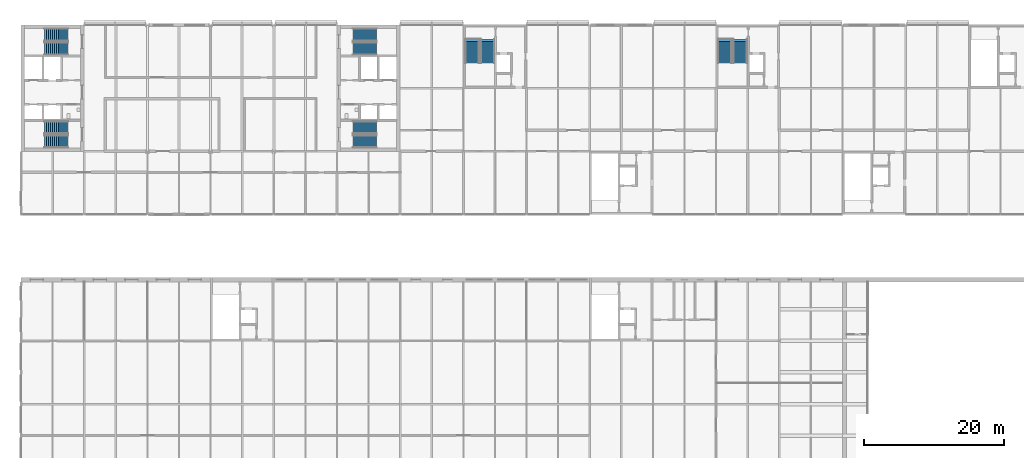
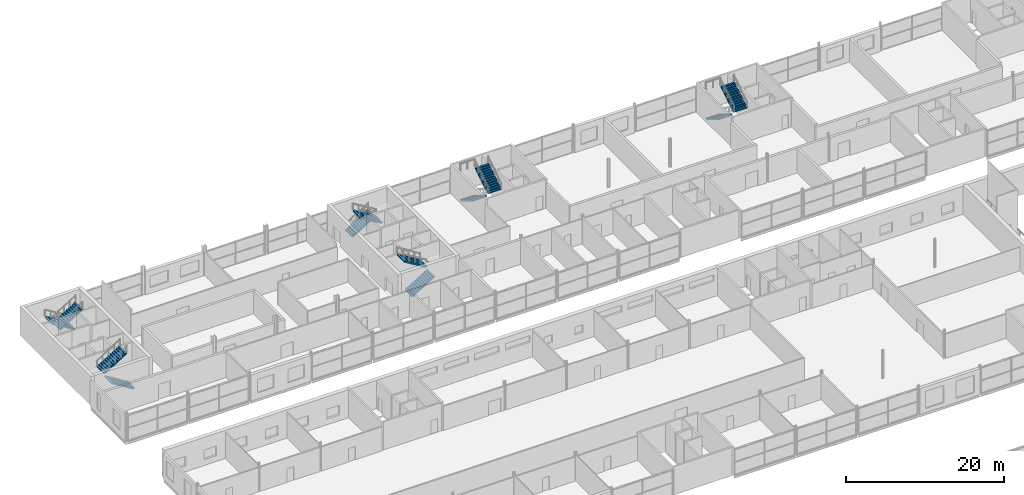
# One storey, part 132 of 138: 12 stair flights, 6 elements without a shape of their own.
"""IFC4 building model written with IfcOpenShell, lengths in metres."""

from ifc_helpers import new_model, si_unit, direction, frame, origin, place, context, subcontext, project, spatial, polyline, outline, extrude, material, type_object, element, aggregate, save


model = new_model("IFC4")

# Units and contexts
model_context = context("Model", 3, precision=1e-05, world=origin(), true_north=direction((0.0, 1.0)))
body_context = subcontext(model_context, "Body", "Model", "MODEL_VIEW")
ifc_project = project(units=[si_unit("LENGTHUNIT", "METRE"), si_unit("AREAUNIT", "SQUARE_METRE"), si_unit("VOLUMEUNIT", "CUBIC_METRE"), si_unit("PLANEANGLEUNIT", "RADIAN"), si_unit("MASSUNIT", "GRAM", prefix="KILO")], contexts=[model_context])

# Site, building, storey
site_placement = place(None, origin())
site = spatial("IfcSite", under=ifc_project, at=site_placement, CompositionType="ELEMENT")
building_placement = place(site_placement, origin())
building = spatial("IfcBuilding", under=site, at=building_placement, Name="Corbel Yard City Hall", CompositionType="ELEMENT")
storey_placement = place(building_placement, frame((0.0, 0.0, 10.5)))
storey = spatial("IfcBuildingStorey", under=building, at=storey_placement, Name="L02", CompositionType="ELEMENT", Elevation=10.5)

# Stair, stair flights
ifc_material = material(Name="Concrete N40 (40 MPa)", Category="concrete")
stair_type_1 = type_object("IfcStairType", Name="ST1", PredefinedType="HALF_TURN_STAIR", material=ifc_material)
stair_1_placement = place(storey_placement, origin())
stair_1 = element("IfcStair", 1, at=stair_1_placement, inside=storey, type_object=stair_type_1, Name="Exit stair ST-W1 L02", PredefinedType="HALF_TURN_STAIR")
stair_flight_type_1 = type_object("IfcStairFlightType", Name="FL1", PredefinedType="STRAIGHT", material=ifc_material)
stair_flight_1_placement = place(storey_placement, frame((6.699951171875, 100.39990234375, 0.0), z_axis=(0.0, 0.0, 1.0), x_axis=(-1.0, 0.0, 0.0)))
stair_flight_1 = element("IfcStairFlight", 2, at=stair_flight_1_placement, type_object=stair_flight_type_1, Name="ST-W1 flight 1", NumberOfRisers=13, NumberOfTreads=12, PredefinedType="STRAIGHT", RiserHeight=0.173077, TreadLength=0.28, context=body_context, shape_type="SweptSolid", body=[
    extrude(outline(polyline([(0.0, 0.0), (0.0, 0.173095703125), (0.280029296875, 0.173095703125), (0.280029296875, 0.34619140625), (0.56005859375, 0.34619140625), (0.56005859375, 0.519287109375), (0.840087890625, 0.519287109375), (0.840087890625, 0.6923828125), (1.1201171875, 0.6923828125), (1.1201171875, 0.865478515625), (1.39990234375, 0.865478515625), (1.39990234375, 1.03857421875), (1.679931640625, 1.03857421875), (1.679931640625, 1.21142578125), (1.9599609375, 1.21142578125), (1.9599609375, 1.384521484375), (2.239990234375, 1.384521484375), (2.239990234375, 1.5576171875), (2.52001953125, 1.5576171875), (2.52001953125, 1.730712890625), (2.800048828125, 1.730712890625), (2.800048828125, 1.90380859375), (3.080078125, 1.90380859375), (3.080078125, 2.076904296875), (3.360107421875, 2.076904296875), (3.360107421875, 2.25), (3.360107421875, 1.900634765625), (0.28515625, 0.0), (0.0, 0.0)])), frame((0.0, 0.89990234375, 0.0), z_axis=(0.0, -1.0, 0.0), x_axis=(1.0, 0.0, 0.0)), (0.0, 0.0, 1.0), 1.800048828125),
])
stair_flight_2_placement = place(storey_placement, frame((3.340087890625, 102.39990234375, 2.25), z_axis=(0.0, 0.0, 1.0), x_axis=(1.0, 0.0, 0.0)))
stair_flight_2 = element("IfcStairFlight", 3, at=stair_flight_2_placement, type_object=stair_flight_type_1, Name="ST-W1 flight 2", NumberOfRisers=13, NumberOfTreads=12, PredefinedType="STRAIGHT", RiserHeight=0.173077, TreadLength=0.28, context=body_context, shape_type="SweptSolid", body=[
    extrude(outline(polyline([(0.0, 0.0), (0.0, 0.173095703125), (0.280029296875, 0.173095703125), (0.280029296875, 0.34619140625), (0.56005859375, 0.34619140625), (0.56005859375, 0.519287109375), (0.840087890625, 0.519287109375), (0.840087890625, 0.6923828125), (1.1201171875, 0.6923828125), (1.1201171875, 0.865478515625), (1.39990234375, 0.865478515625), (1.39990234375, 1.03857421875), (1.679931640625, 1.03857421875), (1.679931640625, 1.21142578125), (1.9599609375, 1.21142578125), (1.9599609375, 1.384521484375), (2.239990234375, 1.384521484375), (2.239990234375, 1.5576171875), (2.52001953125, 1.5576171875), (2.52001953125, 1.730712890625), (2.800048828125, 1.730712890625), (2.800048828125, 1.90380859375), (3.080078125, 1.90380859375), (3.080078125, 2.076904296875), (3.360107421875, 2.076904296875), (3.360107421875, 2.25), (3.360107421875, 1.900634765625), (0.28515625, 0.0), (0.0, 0.0)])), frame((0.0, 0.89990234375, 0.0), z_axis=(0.0, -1.0, 0.0), x_axis=(1.0, 0.0, 0.0)), (0.0, 0.0, 1.0), 1.800048828125),
])
aggregate(stair_1, [stair_flight_1, stair_flight_2])

stair_2_placement = place(storey_placement, origin())
stair_2 = element("IfcStair", 4, at=stair_2_placement, inside=storey, type_object=stair_type_1, Name="Exit stair ST-W2 L02", PredefinedType="HALF_TURN_STAIR")
stair_flight_3_placement = place(storey_placement, frame((6.699951171875, 115.60009765625, 0.0), z_axis=(0.0, 0.0, 1.0), x_axis=(-1.0, 0.0, 0.0)))
stair_flight_3 = element("IfcStairFlight", 5, at=stair_flight_3_placement, type_object=stair_flight_type_1, Name="ST-W2 flight 1", NumberOfRisers=13, NumberOfTreads=12, PredefinedType="STRAIGHT", RiserHeight=0.173077, TreadLength=0.28, context=body_context, shape_type="SweptSolid", body=[
    extrude(outline(polyline([(0.0, 0.0), (0.0, 0.173095703125), (0.280029296875, 0.173095703125), (0.280029296875, 0.34619140625), (0.56005859375, 0.34619140625), (0.56005859375, 0.519287109375), (0.840087890625, 0.519287109375), (0.840087890625, 0.6923828125), (1.1201171875, 0.6923828125), (1.1201171875, 0.865478515625), (1.39990234375, 0.865478515625), (1.39990234375, 1.03857421875), (1.679931640625, 1.03857421875), (1.679931640625, 1.21142578125), (1.9599609375, 1.21142578125), (1.9599609375, 1.384521484375), (2.239990234375, 1.384521484375), (2.239990234375, 1.5576171875), (2.52001953125, 1.5576171875), (2.52001953125, 1.730712890625), (2.800048828125, 1.730712890625), (2.800048828125, 1.90380859375), (3.080078125, 1.90380859375), (3.080078125, 2.076904296875), (3.360107421875, 2.076904296875), (3.360107421875, 2.25), (3.360107421875, 1.900634765625), (0.28515625, 0.0), (0.0, 0.0)])), frame((0.0, 0.89990234375, 0.0), z_axis=(0.0, -1.0, 0.0), x_axis=(1.0, 0.0, 0.0)), (0.0, 0.0, 1.0), 1.800048828125),
])
stair_flight_4_placement = place(storey_placement, frame((3.340087890625, 113.60009765625, 2.25), z_axis=(0.0, 0.0, 1.0), x_axis=(1.0, 0.0, 0.0)))
stair_flight_4 = element("IfcStairFlight", 6, at=stair_flight_4_placement, type_object=stair_flight_type_1, Name="ST-W2 flight 2", NumberOfRisers=13, NumberOfTreads=12, PredefinedType="STRAIGHT", RiserHeight=0.173077, TreadLength=0.28, context=body_context, shape_type="SweptSolid", body=[
    extrude(outline(polyline([(0.0, 0.0), (0.0, 0.173095703125), (0.280029296875, 0.173095703125), (0.280029296875, 0.34619140625), (0.56005859375, 0.34619140625), (0.56005859375, 0.519287109375), (0.840087890625, 0.519287109375), (0.840087890625, 0.6923828125), (1.1201171875, 0.6923828125), (1.1201171875, 0.865478515625), (1.39990234375, 0.865478515625), (1.39990234375, 1.03857421875), (1.679931640625, 1.03857421875), (1.679931640625, 1.21142578125), (1.9599609375, 1.21142578125), (1.9599609375, 1.384521484375), (2.239990234375, 1.384521484375), (2.239990234375, 1.5576171875), (2.52001953125, 1.5576171875), (2.52001953125, 1.730712890625), (2.800048828125, 1.730712890625), (2.800048828125, 1.90380859375), (3.080078125, 1.90380859375), (3.080078125, 2.076904296875), (3.360107421875, 2.076904296875), (3.360107421875, 2.25), (3.360107421875, 1.900634765625), (0.28515625, 0.0), (0.0, 0.0)])), frame((0.0, 0.89990234375, 0.0), z_axis=(0.0, -1.0, 0.0), x_axis=(1.0, 0.0, 0.0)), (0.0, 0.0, 1.0), 1.800048828125),
])
aggregate(stair_2, [stair_flight_3, stair_flight_4])

stair_3_placement = place(storey_placement, origin())
stair_3 = element("IfcStair", 7, at=stair_3_placement, inside=storey, type_object=stair_type_1, Name="Exit stair ST-E1 L02", PredefinedType="HALF_TURN_STAIR")
stair_flight_5_placement = place(storey_placement, frame((47.300048828125, 100.39990234375, 0.0), z_axis=(0.0, 0.0, 1.0), x_axis=(1.0, 0.0, 0.0)))
stair_flight_5 = element("IfcStairFlight", 8, at=stair_flight_5_placement, type_object=stair_flight_type_1, Name="ST-E1 flight 1", NumberOfRisers=13, NumberOfTreads=12, PredefinedType="STRAIGHT", RiserHeight=0.173077, TreadLength=0.28, context=body_context, shape_type="SweptSolid", body=[
    extrude(outline(polyline([(0.0, 0.0), (0.0, 0.173095703125), (0.280029296875, 0.173095703125), (0.280029296875, 0.34619140625), (0.56005859375, 0.34619140625), (0.56005859375, 0.519287109375), (0.840087890625, 0.519287109375), (0.840087890625, 0.6923828125), (1.1201171875, 0.6923828125), (1.1201171875, 0.865478515625), (1.39990234375, 0.865478515625), (1.39990234375, 1.03857421875), (1.679931640625, 1.03857421875), (1.679931640625, 1.21142578125), (1.9599609375, 1.21142578125), (1.9599609375, 1.384521484375), (2.239990234375, 1.384521484375), (2.239990234375, 1.5576171875), (2.52001953125, 1.5576171875), (2.52001953125, 1.730712890625), (2.800048828125, 1.730712890625), (2.800048828125, 1.90380859375), (3.080078125, 1.90380859375), (3.080078125, 2.076904296875), (3.360107421875, 2.076904296875), (3.360107421875, 2.25), (3.360107421875, 1.900634765625), (0.28515625, 0.0), (0.0, 0.0)])), frame((0.0, 0.89990234375, 0.0), z_axis=(0.0, -1.0, 0.0), x_axis=(1.0, 0.0, 0.0)), (0.0, 0.0, 1.0), 1.800048828125),
])
stair_flight_6_placement = place(storey_placement, frame((50.659912109375, 102.39990234375, 2.25), z_axis=(0.0, 0.0, 1.0), x_axis=(-1.0, 0.0, 0.0)))
stair_flight_6 = element("IfcStairFlight", 9, at=stair_flight_6_placement, type_object=stair_flight_type_1, Name="ST-E1 flight 2", NumberOfRisers=13, NumberOfTreads=12, PredefinedType="STRAIGHT", RiserHeight=0.173077, TreadLength=0.28, context=body_context, shape_type="SweptSolid", body=[
    extrude(outline(polyline([(0.0, 0.0), (0.0, 0.173095703125), (0.280029296875, 0.173095703125), (0.280029296875, 0.34619140625), (0.56005859375, 0.34619140625), (0.56005859375, 0.519287109375), (0.840087890625, 0.519287109375), (0.840087890625, 0.6923828125), (1.1201171875, 0.6923828125), (1.1201171875, 0.865478515625), (1.39990234375, 0.865478515625), (1.39990234375, 1.03857421875), (1.679931640625, 1.03857421875), (1.679931640625, 1.21142578125), (1.9599609375, 1.21142578125), (1.9599609375, 1.384521484375), (2.239990234375, 1.384521484375), (2.239990234375, 1.5576171875), (2.52001953125, 1.5576171875), (2.52001953125, 1.730712890625), (2.800048828125, 1.730712890625), (2.800048828125, 1.90380859375), (3.080078125, 1.90380859375), (3.080078125, 2.076904296875), (3.360107421875, 2.076904296875), (3.360107421875, 2.25), (3.360107421875, 1.900634765625), (0.28515625, 0.0), (0.0, 0.0)])), frame((0.0, 0.89990234375, 0.0), z_axis=(0.0, -1.0, 0.0), x_axis=(1.0, 0.0, 0.0)), (0.0, 0.0, 1.0), 1.800048828125),
])
aggregate(stair_3, [stair_flight_5, stair_flight_6])

stair_4_placement = place(storey_placement, origin())
stair_4 = element("IfcStair", 10, at=stair_4_placement, inside=storey, type_object=stair_type_1, Name="Exit stair ST-E2 L02", PredefinedType="HALF_TURN_STAIR")
stair_flight_7_placement = place(storey_placement, frame((47.300048828125, 115.60009765625, 0.0), z_axis=(0.0, 0.0, 1.0), x_axis=(1.0, 0.0, 0.0)))
stair_flight_7 = element("IfcStairFlight", 11, at=stair_flight_7_placement, type_object=stair_flight_type_1, Name="ST-E2 flight 1", NumberOfRisers=13, NumberOfTreads=12, PredefinedType="STRAIGHT", RiserHeight=0.173077, TreadLength=0.28, context=body_context, shape_type="SweptSolid", body=[
    extrude(outline(polyline([(0.0, 0.0), (0.0, 0.173095703125), (0.280029296875, 0.173095703125), (0.280029296875, 0.34619140625), (0.56005859375, 0.34619140625), (0.56005859375, 0.519287109375), (0.840087890625, 0.519287109375), (0.840087890625, 0.6923828125), (1.1201171875, 0.6923828125), (1.1201171875, 0.865478515625), (1.39990234375, 0.865478515625), (1.39990234375, 1.03857421875), (1.679931640625, 1.03857421875), (1.679931640625, 1.21142578125), (1.9599609375, 1.21142578125), (1.9599609375, 1.384521484375), (2.239990234375, 1.384521484375), (2.239990234375, 1.5576171875), (2.52001953125, 1.5576171875), (2.52001953125, 1.730712890625), (2.800048828125, 1.730712890625), (2.800048828125, 1.90380859375), (3.080078125, 1.90380859375), (3.080078125, 2.076904296875), (3.360107421875, 2.076904296875), (3.360107421875, 2.25), (3.360107421875, 1.900634765625), (0.28515625, 0.0), (0.0, 0.0)])), frame((0.0, 0.89990234375, 0.0), z_axis=(0.0, -1.0, 0.0), x_axis=(1.0, 0.0, 0.0)), (0.0, 0.0, 1.0), 1.800048828125),
])
stair_flight_8_placement = place(storey_placement, frame((50.659912109375, 113.60009765625, 2.25), z_axis=(0.0, 0.0, 1.0), x_axis=(-1.0, 0.0, 0.0)))
stair_flight_8 = element("IfcStairFlight", 12, at=stair_flight_8_placement, type_object=stair_flight_type_1, Name="ST-E2 flight 2", NumberOfRisers=13, NumberOfTreads=12, PredefinedType="STRAIGHT", RiserHeight=0.173077, TreadLength=0.28, context=body_context, shape_type="SweptSolid", body=[
    extrude(outline(polyline([(0.0, 0.0), (0.0, 0.173095703125), (0.280029296875, 0.173095703125), (0.280029296875, 0.34619140625), (0.56005859375, 0.34619140625), (0.56005859375, 0.519287109375), (0.840087890625, 0.519287109375), (0.840087890625, 0.6923828125), (1.1201171875, 0.6923828125), (1.1201171875, 0.865478515625), (1.39990234375, 0.865478515625), (1.39990234375, 1.03857421875), (1.679931640625, 1.03857421875), (1.679931640625, 1.21142578125), (1.9599609375, 1.21142578125), (1.9599609375, 1.384521484375), (2.239990234375, 1.384521484375), (2.239990234375, 1.5576171875), (2.52001953125, 1.5576171875), (2.52001953125, 1.730712890625), (2.800048828125, 1.730712890625), (2.800048828125, 1.90380859375), (3.080078125, 1.90380859375), (3.080078125, 2.076904296875), (3.360107421875, 2.076904296875), (3.360107421875, 2.25), (3.360107421875, 1.900634765625), (0.28515625, 0.0), (0.0, 0.0)])), frame((0.0, 0.89990234375, 0.0), z_axis=(0.0, -1.0, 0.0), x_axis=(1.0, 0.0, 0.0)), (0.0, 0.0, 1.0), 1.800048828125),
])
aggregate(stair_4, [stair_flight_7, stair_flight_8])

stair_type_2 = type_object("IfcStairType", Name="ST31", PredefinedType="HALF_TURN_STAIR", material=ifc_material)
stair_5_placement = place(storey_placement, origin())
stair_5 = element("IfcStair", 13, at=stair_5_placement, inside=storey, type_object=stair_type_2, Name="Exit stair L02", PredefinedType="HALF_TURN_STAIR")
stair_flight_type_2 = type_object("IfcStairFlightType", Name="FL31", PredefinedType="STRAIGHT", material=ifc_material)
stair_flight_9_placement = place(storey_placement, frame((64.25, 114.949951171875, 0.0), z_axis=(0.0, 0.0, 1.0), x_axis=(0.0, -1.0, 0.0)))
stair_flight_9 = element("IfcStairFlight", 14, at=stair_flight_9_placement, type_object=stair_flight_type_2, Name="PS16 flight 1", NumberOfRisers=13, NumberOfTreads=12, PredefinedType="STRAIGHT", RiserHeight=0.173077, TreadLength=0.28, context=body_context, shape_type="SweptSolid", body=[
    extrude(outline(polyline([(0.0, 0.0), (0.0, 0.173095703125), (0.280029296875, 0.173095703125), (0.280029296875, 0.34619140625), (0.56005859375, 0.34619140625), (0.56005859375, 0.519287109375), (0.840087890625, 0.519287109375), (0.840087890625, 0.6923828125), (1.1201171875, 0.6923828125), (1.1201171875, 0.865478515625), (1.39990234375, 0.865478515625), (1.39990234375, 1.03857421875), (1.679931640625, 1.03857421875), (1.679931640625, 1.21142578125), (1.9599609375, 1.21142578125), (1.9599609375, 1.384521484375), (2.239990234375, 1.384521484375), (2.239990234375, 1.5576171875), (2.52001953125, 1.5576171875), (2.52001953125, 1.730712890625), (2.800048828125, 1.730712890625), (2.800048828125, 1.90380859375), (3.080078125, 1.90380859375), (3.080078125, 2.076904296875), (3.360107421875, 2.076904296875), (3.360107421875, 2.25), (3.360107421875, 1.900634765625), (0.28515625, 0.0), (0.0, 0.0)])), frame((0.0, 1.0, 0.0), z_axis=(0.0, -1.0, 0.0), x_axis=(1.0, 0.0, 0.0)), (0.0, 0.0, 1.0), 2.0),
])
stair_flight_10_placement = place(storey_placement, frame((66.449951171875, 111.590087890625, 2.25), z_axis=(0.0, 0.0, 1.0), x_axis=(0.0, 1.0, 0.0)))
stair_flight_10 = element("IfcStairFlight", 15, at=stair_flight_10_placement, type_object=stair_flight_type_2, Name="PS16 flight 2", NumberOfRisers=13, NumberOfTreads=12, PredefinedType="STRAIGHT", RiserHeight=0.173077, TreadLength=0.28, context=body_context, shape_type="SweptSolid", body=[
    extrude(outline(polyline([(0.0, 0.0), (0.0, 0.173095703125), (0.280029296875, 0.173095703125), (0.280029296875, 0.34619140625), (0.56005859375, 0.34619140625), (0.56005859375, 0.519287109375), (0.840087890625, 0.519287109375), (0.840087890625, 0.6923828125), (1.1201171875, 0.6923828125), (1.1201171875, 0.865478515625), (1.39990234375, 0.865478515625), (1.39990234375, 1.03857421875), (1.679931640625, 1.03857421875), (1.679931640625, 1.21142578125), (1.9599609375, 1.21142578125), (1.9599609375, 1.384521484375), (2.239990234375, 1.384521484375), (2.239990234375, 1.5576171875), (2.52001953125, 1.5576171875), (2.52001953125, 1.730712890625), (2.800048828125, 1.730712890625), (2.800048828125, 1.90380859375), (3.080078125, 1.90380859375), (3.080078125, 2.076904296875), (3.360107421875, 2.076904296875), (3.360107421875, 2.25), (3.360107421875, 1.900634765625), (0.28515625, 0.0), (0.0, 0.0)])), frame((0.0, 1.0, 0.0), z_axis=(0.0, -1.0, 0.0), x_axis=(1.0, 0.0, 0.0)), (0.0, 0.0, 1.0), 2.0),
])
aggregate(stair_5, [stair_flight_9, stair_flight_10])

stair_6_placement = place(storey_placement, origin())
stair_6 = element("IfcStair", 16, at=stair_6_placement, inside=storey, type_object=stair_type_2, Name="Exit stair L02", PredefinedType="HALF_TURN_STAIR")
stair_flight_11_placement = place(storey_placement, frame((100.25, 114.949951171875, 0.0), z_axis=(0.0, 0.0, 1.0), x_axis=(0.0, -1.0, 0.0)))
stair_flight_11 = element("IfcStairFlight", 17, at=stair_flight_11_placement, type_object=stair_flight_type_2, Name="PS17 flight 1", NumberOfRisers=13, NumberOfTreads=12, PredefinedType="STRAIGHT", RiserHeight=0.173077, TreadLength=0.28, context=body_context, shape_type="SweptSolid", body=[
    extrude(outline(polyline([(0.0, 0.0), (0.0, 0.173095703125), (0.280029296875, 0.173095703125), (0.280029296875, 0.34619140625), (0.56005859375, 0.34619140625), (0.56005859375, 0.519287109375), (0.840087890625, 0.519287109375), (0.840087890625, 0.6923828125), (1.1201171875, 0.6923828125), (1.1201171875, 0.865478515625), (1.39990234375, 0.865478515625), (1.39990234375, 1.03857421875), (1.679931640625, 1.03857421875), (1.679931640625, 1.21142578125), (1.9599609375, 1.21142578125), (1.9599609375, 1.384521484375), (2.239990234375, 1.384521484375), (2.239990234375, 1.5576171875), (2.52001953125, 1.5576171875), (2.52001953125, 1.730712890625), (2.800048828125, 1.730712890625), (2.800048828125, 1.90380859375), (3.080078125, 1.90380859375), (3.080078125, 2.076904296875), (3.360107421875, 2.076904296875), (3.360107421875, 2.25), (3.360107421875, 1.900634765625), (0.28515625, 0.0), (0.0, 0.0)])), frame((0.0, 1.0, 0.0), z_axis=(0.0, -1.0, 0.0), x_axis=(1.0, 0.0, 0.0)), (0.0, 0.0, 1.0), 2.0),
])
stair_flight_12_placement = place(storey_placement, frame((102.449951171875, 111.590087890625, 2.25), z_axis=(0.0, 0.0, 1.0), x_axis=(0.0, 1.0, 0.0)))
stair_flight_12 = element("IfcStairFlight", 18, at=stair_flight_12_placement, type_object=stair_flight_type_2, Name="PS17 flight 2", NumberOfRisers=13, NumberOfTreads=12, PredefinedType="STRAIGHT", RiserHeight=0.173077, TreadLength=0.28, context=body_context, shape_type="SweptSolid", body=[
    extrude(outline(polyline([(0.0, 0.0), (0.0, 0.173095703125), (0.280029296875, 0.173095703125), (0.280029296875, 0.34619140625), (0.56005859375, 0.34619140625), (0.56005859375, 0.519287109375), (0.840087890625, 0.519287109375), (0.840087890625, 0.6923828125), (1.1201171875, 0.6923828125), (1.1201171875, 0.865478515625), (1.39990234375, 0.865478515625), (1.39990234375, 1.03857421875), (1.679931640625, 1.03857421875), (1.679931640625, 1.21142578125), (1.9599609375, 1.21142578125), (1.9599609375, 1.384521484375), (2.239990234375, 1.384521484375), (2.239990234375, 1.5576171875), (2.52001953125, 1.5576171875), (2.52001953125, 1.730712890625), (2.800048828125, 1.730712890625), (2.800048828125, 1.90380859375), (3.080078125, 1.90380859375), (3.080078125, 2.076904296875), (3.360107421875, 2.076904296875), (3.360107421875, 2.25), (3.360107421875, 1.900634765625), (0.28515625, 0.0), (0.0, 0.0)])), frame((0.0, 1.0, 0.0), z_axis=(0.0, -1.0, 0.0), x_axis=(1.0, 0.0, 0.0)), (0.0, 0.0, 1.0), 2.0),
])
aggregate(stair_6, [stair_flight_11, stair_flight_12])

save(model, "model.ifc")
